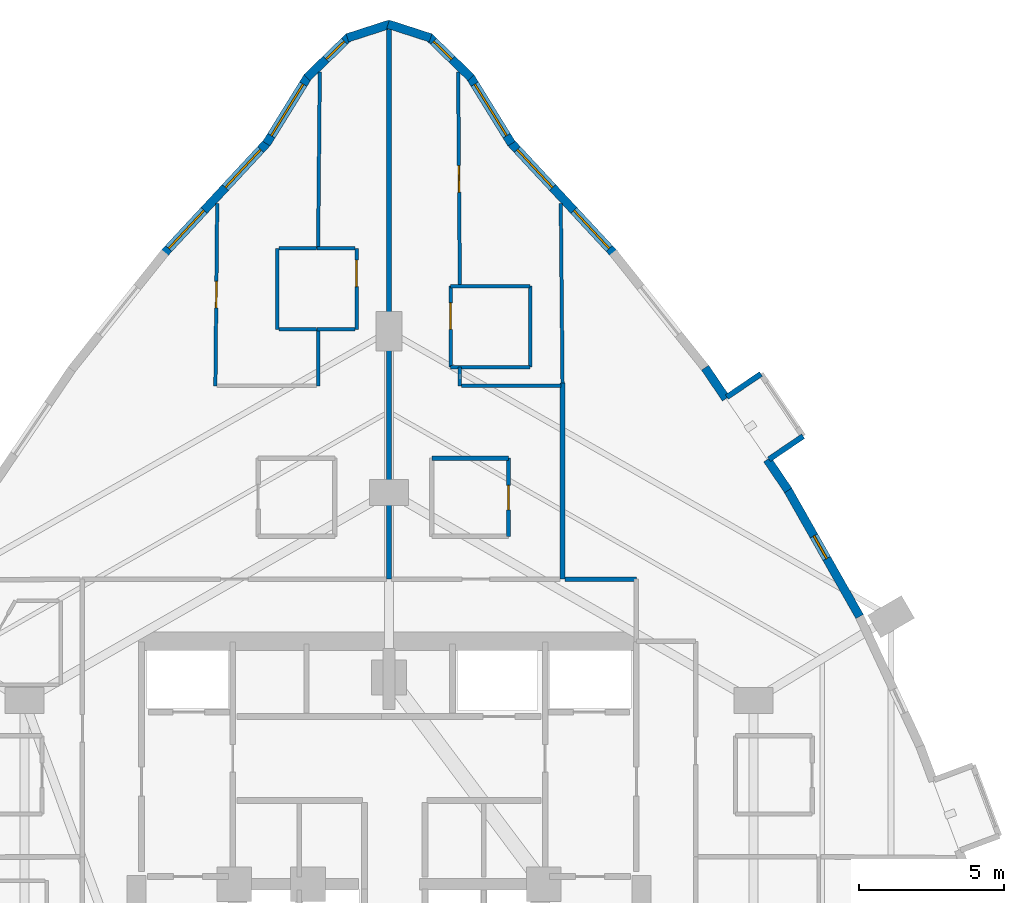
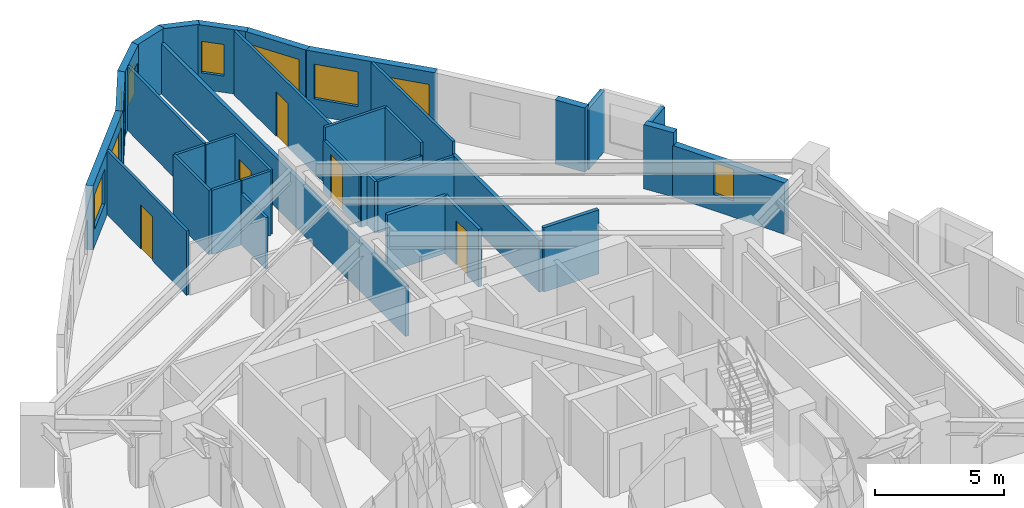
# One storey, part 11 of 13: 35 walls, 9 windows, 5 doors, 14 openings.
"""IFC4 building model written with IfcOpenShell, lengths in metres."""

from ifc_helpers import new_model, si_unit, direction, frame, frame_2d, origin, place, context, subcontext, project, spatial, rectangle, extrude, material, layer, layer_set, type_object, element, fill, save


model = new_model("IFC4")

# Units and contexts
model_context = context("Model", 3, precision=1e-05, world=origin(), true_north=direction((0.0, 1.0)))
body_context = subcontext(model_context, "Body", "Model", "MODEL_VIEW")
ifc_project = project(units=[si_unit("LENGTHUNIT", "METRE"), si_unit("AREAUNIT", "SQUARE_METRE"), si_unit("VOLUMEUNIT", "CUBIC_METRE"), si_unit("PLANEANGLEUNIT", "RADIAN"), si_unit("MASSUNIT", "GRAM", prefix="KILO")], contexts=[model_context])

# Site, building, storey
site_placement = place(None, origin())
site = spatial("IfcSite", under=ifc_project, at=site_placement, CompositionType="ELEMENT")
building_placement = place(site_placement, origin())
building = spatial("IfcBuilding", under=site, at=building_placement, Name="Miruveldt Soraemaru", CompositionType="ELEMENT")
storey_placement = place(building_placement, frame((0.0, 0.0, 87.0)))
storey = spatial("IfcBuildingStorey", under=building, at=storey_placement, Name="L24", CompositionType="ELEMENT", Elevation=87.0)

# Walls
ifc_material_1 = material(Name="White powder-coated aluminium EN AW-6060 T6", Category="aluminium")
ifc_layer_1 = layer(ifc_material_1, 0.18994140625, Name="White powder-coated aluminium EN AW-6060 T6", Category="aluminium")
ifc_layer_set_1 = layer_set([ifc_layer_1], Name="White powder-coated aluminium EN AW-6060 T6")
wall_type_1 = type_object("IfcWallType", Name="WALL-BAY-ALU190", PredefinedType="SOLIDWALL", material=ifc_layer_set_1)
wall_1_placement = place(storey_placement, frame((57.137939453125, 58.74072265625, 0.0), z_axis=(0.0, 0.0, 1.0), x_axis=(0.82794178844, 0.560814046681, 0.0)))
element("IfcWall", 1, at=wall_1_placement, inside=storey, type_object=wall_type_1, Name="L24 Bay Window Side Cheek 6L", PredefinedType="SOLIDWALL", context=body_context, shape_type="SweptSolid", body=[
    extrude(rectangle(XDim=1.4248046875, YDim=0.18994140625, at=frame_2d((0.71240234375, 0.0))), origin(), (0.0, 0.0, 1.0), 2.89990234375),
])
wall_2_placement = place(storey_placement, frame((56.859619140625, 61.692626953125, 0.0), z_axis=(0.0, 0.0, 1.0), x_axis=(-0.827916124573, -0.56085193293, 0.0)))
element("IfcWall", 2, at=wall_2_placement, inside=storey, type_object=wall_type_1, Name="L24 Bay Window Side Cheek 6R", PredefinedType="SOLIDWALL", context=body_context, shape_type="SweptSolid", body=[
    extrude(rectangle(XDim=1.42529296875, YDim=0.18994140625, at=frame_2d((0.712646484375, 0.0))), origin(), (0.0, 0.0, 1.0), 2.89990234375),
])

# Wall, opening, window
ifc_material_2 = material(Name="Precast concrete C45/55 (45 MPa)", Category="concrete")
ifc_layer_2 = layer(ifc_material_2, 0.300048828125, Name="Precast concrete C45/55 (45 MPa)", Category="concrete")
ifc_layer_set_2 = layer_set([ifc_layer_2], Name="Precast concrete C45/55 (45 MPa)")
wall_type_2 = type_object("IfcWallType", Name="WALL-EXT-PC300", PredefinedType="SOLIDWALL", material=ifc_layer_set_2)
wall_3_placement = place(storey_placement, frame((48.2373046875, 69.650634765625, 0.0), z_axis=(0.0, 0.0, 1.0), x_axis=(-0.526057393032, 0.850449069161, 0.0)))
wall_3 = element("IfcWall", 3, at=wall_3_placement, inside=storey, type_object=wall_type_2, Name="L24 Precast Concrete Facade Wall 1", PredefinedType="SOLIDWALL", context=body_context, shape_type="SweptSolid", body=[
    extrude(rectangle(XDim=2.7431640625, YDim=0.300048828125, at=frame_2d((1.37158203125, 0.0))), origin(), (0.0, 0.0, 1.0), 3.050048828125),
])
opening_1_placement = place(wall_3_placement, frame((0.322021484375, 0.0, 0.800048828125)))
opening_1 = element("IfcOpeningElement", 4, at=opening_1_placement, cuts=wall_3, Name="Opening WN-1", PredefinedType="OPENING", context=body_context, shape_type="SweptSolid", body=[
    extrude(rectangle(XDim=2.10009765625, YDim=1.699951171875, at=frame_2d((1.050048828125, 0.85009765625))), frame((0.0, 0.16015625, 0.0), z_axis=(0.0, -1.0, 0.0), x_axis=(1.0, 0.0, 0.0)), (0.0, 0.0, 1.0), 0.320068359375),
])
ifc_material_3 = material(Name="Triple low-e insulated glazing", Category="glass")
window_type_1 = type_object("IfcWindowType", Name="WIN-PUNCH-2100x1700", PartitioningType="SINGLE_PANEL", PredefinedType="WINDOW", material=ifc_material_3)
window_1_placement = place(opening_1_placement, origin())
window_1 = element("IfcWindow", 5, at=window_1_placement, inside=storey, type_object=window_type_1, Name="L24 Punched Triple-Glazed Window 01.1", OverallHeight=1.699951171875, OverallWidth=2.10009765625, PartitioningType="SINGLE_PANEL", PredefinedType="WINDOW", context=body_context, shape_type="SweptSolid", body=[
    extrude(rectangle(XDim=2.10009765625, YDim=1.699951171875, at=frame_2d((1.050048828125, 0.85009765625))), frame((0.0, 0.030029296875, 0.0), z_axis=(0.0, -1.0, 0.0), x_axis=(1.0, 0.0, 0.0)), (0.0, 0.0, 1.0), 0.06005859375),
])
fill(opening_1, window_1)

wall_4_placement = place(storey_placement, frame((46.837646484375, 71.929443359375, 0.0), z_axis=(0.0, 0.0, 1.0), x_axis=(-0.717792882434, 0.696256689682, 0.0)))
wall_4 = element("IfcWall", 6, at=wall_4_placement, inside=storey, type_object=wall_type_2, Name="L24 Precast Concrete Facade Wall 2", PredefinedType="SOLIDWALL", context=body_context, shape_type="SweptSolid", body=[
    extrude(rectangle(XDim=2.029296875, YDim=0.300048828125, at=frame_2d((1.0146484375, 0.0))), origin(), (0.0, 0.0, 1.0), 3.050048828125),
])
opening_2_placement = place(wall_4_placement, frame((0.9150390625, 0.0, 0.780029296875)))
opening_2 = element("IfcOpeningElement", 7, at=opening_2_placement, cuts=wall_4, Name="Opening WN-7", PredefinedType="OPENING", context=body_context, shape_type="SweptSolid", body=[
    extrude(rectangle(XDim=0.89990234375, YDim=1.5, at=frame_2d((0.449951171875, 0.75))), frame((0.0, 0.16015625, 0.0), z_axis=(0.0, -1.0, 0.0), x_axis=(1.0, 0.0, 0.0)), (0.0, 0.0, 1.0), 0.320068359375),
])
window_type_2 = type_object("IfcWindowType", Name="WIN-PUNCH-900x1500", PartitioningType="SINGLE_PANEL", PredefinedType="WINDOW", material=ifc_material_3)
window_2_placement = place(opening_2_placement, origin())
window_2 = element("IfcWindow", 8, at=window_2_placement, inside=storey, type_object=window_type_2, Name="L24 Punched Triple-Glazed Window 02.1", OverallHeight=1.5, OverallWidth=0.89990234375, PartitioningType="SINGLE_PANEL", PredefinedType="WINDOW", context=body_context, shape_type="SweptSolid", body=[
    extrude(rectangle(XDim=0.89990234375, YDim=1.5, at=frame_2d((0.449951171875, 0.75))), frame((0.0, 0.030029296875, 0.0), z_axis=(0.0, -1.0, 0.0), x_axis=(1.0, 0.0, 0.0)), (0.0, 0.0, 1.0), 0.06005859375),
])
fill(opening_2, window_2)

# Walls
for number, where, z_axis, x_axis, name in (
    (9, (45.439697265625, 73.30712890625, 0.0), (0.0, 0.0, 1.0), (-0.951483908193, 0.307698509015, 0.0), "L24 Precast Concrete Facade Wall 3"),
    (10, (44.033203125, 73.783447265625, 0.0), (0.0, 0.0, 1.0), (-0.951483908193, -0.307698509015, 0.0), "L24 Precast Concrete Facade Wall 4"),
):
    element("IfcWall", number, at=place(storey_placement, frame(where, z_axis=z_axis, x_axis=x_axis)), inside=storey, type_object=wall_type_2, Name=name, PredefinedType="SOLIDWALL", context=body_context, shape_type="SweptSolid", body=[
        extrude(rectangle(XDim=1.548095703125, YDim=0.300048828125, at=frame_2d((0.77392578125, 0.0))), origin(), (0.0, 0.0, 1.0), 3.050048828125),
    ])

# Wall, opening, window
wall_5_placement = place(storey_placement, frame((42.618896484375, 73.34228515625, 0.0), z_axis=(0.0, 0.0, 1.0), x_axis=(-0.717792882434, -0.696256689682, 0.0)))
wall_5 = element("IfcWall", 11, at=wall_5_placement, inside=storey, type_object=wall_type_2, Name="L24 Precast Concrete Facade Wall 5", PredefinedType="SOLIDWALL", context=body_context, shape_type="SweptSolid", body=[
    extrude(rectangle(XDim=2.029296875, YDim=0.300048828125, at=frame_2d((1.0146484375, 0.0))), origin(), (0.0, 0.0, 1.0), 3.050048828125),
])
opening_3_placement = place(wall_5_placement, frame((0.212890625, 0.0, 0.780029296875)))
opening_3 = element("IfcOpeningElement", 12, at=opening_3_placement, cuts=wall_5, Name="Opening WN-7", PredefinedType="OPENING", context=body_context, shape_type="SweptSolid", body=[
    extrude(rectangle(XDim=0.89990234375, YDim=1.5, at=frame_2d((0.449951171875, 0.75))), frame((0.0, 0.16015625, 0.0), z_axis=(0.0, -1.0, 0.0), x_axis=(1.0, 0.0, 0.0)), (0.0, 0.0, 1.0), 0.320068359375),
])
window_3_placement = place(opening_3_placement, origin())
window_3 = element("IfcWindow", 13, at=window_3_placement, inside=storey, type_object=window_type_2, Name="L24 Punched Triple-Glazed Window 05.1", OverallHeight=1.5, OverallWidth=0.89990234375, PartitioningType="SINGLE_PANEL", PredefinedType="WINDOW", context=body_context, shape_type="SweptSolid", body=[
    extrude(rectangle(XDim=0.89990234375, YDim=1.5, at=frame_2d((0.449951171875, 0.75))), frame((0.0, 0.030029296875, 0.0), z_axis=(0.0, -1.0, 0.0), x_axis=(1.0, 0.0, 0.0)), (0.0, 0.0, 1.0), 0.06005859375),
])
fill(opening_3, window_3)

wall_6_placement = place(storey_placement, frame((41.205810546875, 71.983642578125, 0.0), z_axis=(0.0, 0.0, 1.0), x_axis=(-0.526057393032, -0.850449069161, 0.0)))
wall_6 = element("IfcWall", 14, at=wall_6_placement, inside=storey, type_object=wall_type_2, Name="L24 Precast Concrete Facade Wall 6", PredefinedType="SOLIDWALL", context=body_context, shape_type="SweptSolid", body=[
    extrude(rectangle(XDim=2.7431640625, YDim=0.300048828125, at=frame_2d((1.37158203125, 0.0))), origin(), (0.0, 0.0, 1.0), 3.050048828125),
])
opening_4_placement = place(wall_6_placement, frame((0.322021484375, 0.0, 0.800048828125)))
opening_4 = element("IfcOpeningElement", 15, at=opening_4_placement, cuts=wall_6, Name="Opening WN-1", PredefinedType="OPENING", context=body_context, shape_type="SweptSolid", body=[
    extrude(rectangle(XDim=2.10009765625, YDim=1.699951171875, at=frame_2d((1.050048828125, 0.85009765625))), frame((0.0, 0.16015625, 0.0), z_axis=(0.0, -1.0, 0.0), x_axis=(1.0, 0.0, 0.0)), (0.0, 0.0, 1.0), 0.320068359375),
])
window_4_placement = place(opening_4_placement, origin())
window_4 = element("IfcWindow", 16, at=window_4_placement, inside=storey, type_object=window_type_1, Name="L24 Punched Triple-Glazed Window 06.1", OverallHeight=1.699951171875, OverallWidth=2.10009765625, PartitioningType="SINGLE_PANEL", PredefinedType="WINDOW", context=body_context, shape_type="SweptSolid", body=[
    extrude(rectangle(XDim=2.10009765625, YDim=1.699951171875, at=frame_2d((1.050048828125, 0.85009765625))), frame((0.0, 0.030029296875, 0.0), z_axis=(0.0, -1.0, 0.0), x_axis=(1.0, 0.0, 0.0)), (0.0, 0.0, 1.0), 0.06005859375),
])
fill(opening_4, window_4)

# Wall, openings, windows
wall_7_placement = place(storey_placement, frame((39.8046875, 69.7060546875, 0.0), z_axis=(0.0, 0.0, 1.0), x_axis=(-0.680847026774, -0.732425645464, 0.0)))
wall_7 = element("IfcWall", 17, at=wall_7_placement, inside=storey, type_object=wall_type_2, Name="L24 Precast Concrete Facade Wall 7", PredefinedType="SOLIDWALL", context=body_context, shape_type="SweptSolid", body=[
    extrude(rectangle(XDim=5.27294921875, YDim=0.300048828125, at=frame_2d((2.636474609375, 0.0))), origin(), (0.0, 0.0, 1.0), 3.050048828125),
])
opening_5_placement = place(wall_7_placement, frame((0.34912109375, 0.0, 0.800048828125)))
opening_5 = element("IfcOpeningElement", 18, at=opening_5_placement, cuts=wall_7, Name="Opening WN-2", PredefinedType="OPENING", context=body_context, shape_type="SweptSolid", body=[
    extrude(rectangle(XDim=1.800048828125, YDim=1.64990234375, at=frame_2d((0.89990234375, 0.824951171875))), frame((0.0, 0.16015625, 0.0), z_axis=(0.0, -1.0, 0.0), x_axis=(1.0, 0.0, 0.0)), (0.0, 0.0, 1.0), 0.320068359375),
])
opening_6_placement = place(wall_7_placement, frame((3.22509765625, 0.0, 0.800048828125)))
opening_6 = element("IfcOpeningElement", 19, at=opening_6_placement, cuts=wall_7, Name="Opening WN-2", PredefinedType="OPENING", context=body_context, shape_type="SweptSolid", body=[
    extrude(rectangle(XDim=1.800048828125, YDim=1.64990234375, at=frame_2d((0.89990234375, 0.824951171875))), frame((0.0, 0.16015625, 0.0), z_axis=(0.0, -1.0, 0.0), x_axis=(1.0, 0.0, 0.0)), (0.0, 0.0, 1.0), 0.320068359375),
])
window_type_3 = type_object("IfcWindowType", Name="WIN-PUNCH-1800x1650", PartitioningType="SINGLE_PANEL", PredefinedType="WINDOW", material=ifc_material_3)
window_5_placement = place(opening_5_placement, origin())
window_5 = element("IfcWindow", 20, at=window_5_placement, inside=storey, type_object=window_type_3, Name="L24 Punched Triple-Glazed Window 07.1", OverallHeight=1.64990234375, OverallWidth=1.800048828125, PartitioningType="SINGLE_PANEL", PredefinedType="WINDOW", context=body_context, shape_type="SweptSolid", body=[
    extrude(rectangle(XDim=1.800048828125, YDim=1.64990234375, at=frame_2d((0.89990234375, 0.824951171875))), frame((0.0, 0.030029296875, 0.0), z_axis=(0.0, -1.0, 0.0), x_axis=(1.0, 0.0, 0.0)), (0.0, 0.0, 1.0), 0.06005859375),
])
fill(opening_5, window_5)
window_6_placement = place(opening_6_placement, origin())
window_6 = element("IfcWindow", 21, at=window_6_placement, inside=storey, type_object=window_type_3, Name="L24 Punched Triple-Glazed Window 07.2", OverallHeight=1.64990234375, OverallWidth=1.800048828125, PartitioningType="SINGLE_PANEL", PredefinedType="WINDOW", context=body_context, shape_type="SweptSolid", body=[
    extrude(rectangle(XDim=1.800048828125, YDim=1.64990234375, at=frame_2d((0.89990234375, 0.824951171875))), frame((0.0, 0.030029296875, 0.0), z_axis=(0.0, -1.0, 0.0), x_axis=(1.0, 0.0, 0.0)), (0.0, 0.0, 1.0), 0.06005859375),
])
fill(opening_6, window_6)

# Wall, opening, window
wall_8_placement = place(storey_placement, frame((60.26953125, 53.30517578125, 0.0), z_axis=(0.0, 0.0, 1.0), x_axis=(-0.493390535176, 0.869807898216, 0.0)))
wall_8 = element("IfcWall", 22, at=wall_8_placement, inside=storey, type_object=wall_type_2, Name="L24 Precast Concrete Facade Wall 39", PredefinedType="SOLIDWALL", context=body_context, shape_type="SweptSolid", body=[
    extrude(rectangle(XDim=5.084228515625, YDim=0.300048828125, at=frame_2d((2.5419921875, 0.0))), origin(), (0.0, 0.0, 1.0), 2.43798828125),
])
opening_7_placement = place(wall_8_placement, frame((2.306884765625, 0.0, 0.778076171875)))
opening_7 = element("IfcOpeningElement", 23, at=opening_7_placement, cuts=wall_8, Name="Opening WN-7", PredefinedType="OPENING", context=body_context, shape_type="SweptSolid", body=[
    extrude(rectangle(XDim=0.89990234375, YDim=1.5, at=frame_2d((0.449951171875, 0.75))), frame((0.0, 0.16015625, 0.0), z_axis=(0.0, -1.0, 0.0), x_axis=(1.0, 0.0, 0.0)), (0.0, 0.0, 1.0), 0.320068359375),
])
window_7_placement = place(opening_7_placement, origin())
window_7 = element("IfcWindow", 24, at=window_7_placement, inside=storey, type_object=window_type_2, Name="L24 Punched Triple-Glazed Window 39.1", OverallHeight=1.5, OverallWidth=0.89990234375, PartitioningType="SINGLE_PANEL", PredefinedType="WINDOW", context=body_context, shape_type="SweptSolid", body=[
    extrude(rectangle(XDim=0.89990234375, YDim=1.5, at=frame_2d((0.449951171875, 0.75))), frame((0.0, 0.030029296875, 0.0), z_axis=(0.0, -1.0, 0.0), x_axis=(1.0, 0.0, 0.0)), (0.0, 0.0, 1.0), 0.06005859375),
])
fill(opening_7, window_7)

# Walls
wall_9_placement = place(storey_placement, frame((57.798095703125, 57.668212890625, 0.0), z_axis=(0.0, 0.0, 1.0), x_axis=(-0.560852336158, 0.827915851416, 0.0)))
element("IfcWall", 25, at=wall_9_placement, inside=storey, type_object=wall_type_2, Name="L24 Precast Pier Wall 40A", PredefinedType="SOLIDWALL", context=body_context, shape_type="SweptSolid", body=[
    extrude(rectangle(XDim=1.2880859375, YDim=0.300048828125, at=frame_2d((0.64404296875, 0.0))), origin(), (0.0, 0.0, 1.0), 3.050048828125),
])
wall_10_placement = place(storey_placement, frame((55.65087890625, 60.837890625, 0.0), z_axis=(0.0, 0.0, 1.0), x_axis=(-0.560722395455, 0.828003861848, 0.0)))
element("IfcWall", 26, at=wall_10_placement, inside=storey, type_object=wall_type_2, Name="L24 Precast Pier Wall 40B", PredefinedType="SOLIDWALL", context=body_context, shape_type="SweptSolid", body=[
    extrude(rectangle(XDim=1.287841796875, YDim=0.300048828125, at=frame_2d((0.64404296875, 0.0))), origin(), (0.0, 0.0, 1.0), 3.050048828125),
])

# Wall, openings, windows
wall_11_placement = place(storey_placement, frame((51.785400390625, 65.843994140625, 0.0), z_axis=(0.0, 0.0, 1.0), x_axis=(-0.680847026774, 0.732425645464, 0.0)))
wall_11 = element("IfcWall", 27, at=wall_11_placement, inside=storey, type_object=wall_type_2, Name="L24 Precast Concrete Facade Wall 42", PredefinedType="SOLIDWALL", context=body_context, shape_type="SweptSolid", body=[
    extrude(rectangle(XDim=5.27294921875, YDim=0.300048828125, at=frame_2d((2.636474609375, 0.0))), origin(), (0.0, 0.0, 1.0), 3.050048828125),
])
opening_8_placement = place(wall_11_placement, frame((0.248046875, 0.0, 0.800048828125)))
opening_8 = element("IfcOpeningElement", 28, at=opening_8_placement, cuts=wall_11, Name="Opening WN-2", PredefinedType="OPENING", context=body_context, shape_type="SweptSolid", body=[
    extrude(rectangle(XDim=1.800048828125, YDim=1.64990234375, at=frame_2d((0.89990234375, 0.824951171875))), frame((0.0, 0.16015625, 0.0), z_axis=(0.0, -1.0, 0.0), x_axis=(1.0, 0.0, 0.0)), (0.0, 0.0, 1.0), 0.320068359375),
])
opening_9_placement = place(wall_11_placement, frame((3.1240234375, 0.0, 0.800048828125)))
opening_9 = element("IfcOpeningElement", 29, at=opening_9_placement, cuts=wall_11, Name="Opening WN-2", PredefinedType="OPENING", context=body_context, shape_type="SweptSolid", body=[
    extrude(rectangle(XDim=1.800048828125, YDim=1.64990234375, at=frame_2d((0.89990234375, 0.824951171875))), frame((0.0, 0.16015625, 0.0), z_axis=(0.0, -1.0, 0.0), x_axis=(1.0, 0.0, 0.0)), (0.0, 0.0, 1.0), 0.320068359375),
])
window_8_placement = place(opening_8_placement, origin())
window_8 = element("IfcWindow", 30, at=window_8_placement, inside=storey, type_object=window_type_3, Name="L24 Punched Triple-Glazed Window 42.1", OverallHeight=1.64990234375, OverallWidth=1.800048828125, PartitioningType="SINGLE_PANEL", PredefinedType="WINDOW", context=body_context, shape_type="SweptSolid", body=[
    extrude(rectangle(XDim=1.800048828125, YDim=1.64990234375, at=frame_2d((0.89990234375, 0.824951171875))), frame((0.0, 0.030029296875, 0.0), z_axis=(0.0, -1.0, 0.0), x_axis=(1.0, 0.0, 0.0)), (0.0, 0.0, 1.0), 0.06005859375),
])
fill(opening_8, window_8)
window_9_placement = place(opening_9_placement, origin())
window_9 = element("IfcWindow", 31, at=window_9_placement, inside=storey, type_object=window_type_3, Name="L24 Punched Triple-Glazed Window 42.2", OverallHeight=1.64990234375, OverallWidth=1.800048828125, PartitioningType="SINGLE_PANEL", PredefinedType="WINDOW", context=body_context, shape_type="SweptSolid", body=[
    extrude(rectangle(XDim=1.800048828125, YDim=1.64990234375, at=frame_2d((0.89990234375, 0.824951171875))), frame((0.0, 0.030029296875, 0.0), z_axis=(0.0, -1.0, 0.0), x_axis=(1.0, 0.0, 0.0)), (0.0, 0.0, 1.0), 0.06005859375),
])
fill(opening_9, window_9)

# Wall, opening, door
ifc_material_4 = material(Name="Gypsum plasterboard lining", Category="gypsum")
ifc_layer_3 = layer(ifc_material_4, 0.1201171875, Name="Gypsum plasterboard lining", Category="gypsum")
ifc_layer_set_3 = layer_set([ifc_layer_3], Name="Gypsum plasterboard lining")
wall_type_3 = type_object("IfcWallType", Name="WALL-INT-P120", PredefinedType="PARTITIONING", material=ifc_layer_set_3)
wall_12_placement = place(storey_placement, frame((46.449951171875, 64.72998046875, 0.0), z_axis=(0.0, 0.0, 1.0), x_axis=(-0.007947511419, 0.999968418032, 0.0)))
wall_12 = element("IfcWall", 32, at=wall_12_placement, inside=storey, type_object=wall_type_3, Name="L24 Partition Wall 37", PredefinedType="PARTITIONING", context=body_context, shape_type="SweptSolid", body=[
    extrude(rectangle(XDim=7.4033203125, YDim=0.1201171875, at=frame_2d((3.70166015625, 0.0))), origin(), (0.0, 0.0, 1.0), 3.050048828125),
])
opening_10_placement = place(wall_12_placement, frame((3.241943359375, 0.0, 0.0)))
opening_10 = element("IfcOpeningElement", 33, at=opening_10_placement, cuts=wall_12, Name="Opening D3A", PredefinedType="OPENING", context=body_context, shape_type="SweptSolid", body=[
    extrude(rectangle(XDim=0.919921875, YDim=2.10009765625, at=frame_2d((0.4599609375, 1.050048828125))), frame((0.0, 0.070068359375, 0.0), z_axis=(0.0, -1.0, 0.0), x_axis=(1.0, 0.0, 0.0)), (0.0, 0.0, 1.0), 0.14013671875),
])
ifc_material_5 = material(Name="Anodised aluminium EN AW-6063 T6", Category="aluminium")
door_type_1 = type_object("IfcDoorType", Name="DOOR-INT-920", OperationType="NOTDEFINED", PredefinedType="DOOR", material=ifc_material_5)
door_1_placement = place(opening_10_placement, origin())
door_1 = element("IfcDoor", 34, at=door_1_placement, inside=storey, type_object=door_type_1, Name="L24 Unit 2403 BD1 Door", OperationType="SINGLE_SWING_LEFT", OverallHeight=2.10009765625, OverallWidth=0.919921875, PredefinedType="DOOR", context=body_context, shape_type="SweptSolid", body=[
    extrude(rectangle(XDim=0.919921875, YDim=2.10009765625, at=frame_2d((0.4599609375, 1.050048828125))), frame((0.0, 0.02490234375, 0.0), z_axis=(0.0, -1.0, 0.0), x_axis=(1.0, 0.0, 0.0)), (0.0, 0.0, 1.0), 0.050048828125),
])
fill(opening_10, door_1)

wall_13_placement = place(storey_placement, frame((38.0, 61.281005859375, 0.0), z_axis=(0.0, 0.0, 1.0), x_axis=(0.009830007269, 0.999951684311, 0.0)))
wall_13 = element("IfcWall", 35, at=wall_13_placement, inside=storey, type_object=wall_type_3, Name="L24 Partition Wall 24", PredefinedType="PARTITIONING", context=body_context, shape_type="SweptSolid", body=[
    extrude(rectangle(XDim=6.308349609375, YDim=0.1201171875, at=frame_2d((3.154296875, 0.0))), origin(), (0.0, 0.0, 1.0), 3.050048828125),
])
opening_11_placement = place(wall_13_placement, frame((2.694091796875, 0.0, 0.0)))
opening_11 = element("IfcOpeningElement", 36, at=opening_11_placement, cuts=wall_13, Name="Opening D3A", PredefinedType="OPENING", context=body_context, shape_type="SweptSolid", body=[
    extrude(rectangle(XDim=0.919921875, YDim=2.10009765625, at=frame_2d((0.4599609375, 1.050048828125))), frame((0.0, 0.070068359375, 0.0), z_axis=(0.0, -1.0, 0.0), x_axis=(1.0, 0.0, 0.0)), (0.0, 0.0, 1.0), 0.14013671875),
])
door_2_placement = place(opening_11_placement, origin())
door_2 = element("IfcDoor", 37, at=door_2_placement, inside=storey, type_object=door_type_1, Name="L24 Unit 2402 BD1 Door", OperationType="SINGLE_SWING_LEFT", OverallHeight=2.10009765625, OverallWidth=0.919921875, PredefinedType="DOOR", context=body_context, shape_type="SweptSolid", body=[
    extrude(rectangle(XDim=0.919921875, YDim=2.10009765625, at=frame_2d((0.4599609375, 1.050048828125))), frame((0.0, 0.02490234375, 0.0), z_axis=(0.0, -1.0, 0.0), x_axis=(1.0, 0.0, 0.0)), (0.0, 0.0, 1.0), 0.050048828125),
])
fill(opening_11, door_2)

wall_14_placement = place(storey_placement, frame((42.8798828125, 63.22998046875, 0.0), z_axis=(0.0, 0.0, 1.0), x_axis=(0.0, 1.0, 0.0)))
wall_14 = element("IfcWall", 38, at=wall_14_placement, inside=storey, type_object=wall_type_3, Name="L24 Partition Wall 18", PredefinedType="PARTITIONING", context=body_context, shape_type="SweptSolid", body=[
    extrude(rectangle(XDim=2.800048828125, YDim=0.1201171875, at=frame_2d((1.39990234375, 0.0))), origin(), (0.0, 0.0, 1.0), 3.050048828125),
])
opening_12_placement = place(wall_14_placement, frame((1.47998046875, 0.0, 0.0)))
opening_12 = element("IfcOpeningElement", 39, at=opening_12_placement, cuts=wall_14, Name="Opening D3A", PredefinedType="OPENING", context=body_context, shape_type="SweptSolid", body=[
    extrude(rectangle(XDim=0.919921875, YDim=2.10009765625, at=frame_2d((0.4599609375, 1.050048828125))), frame((0.0, 0.070068359375, 0.0), z_axis=(0.0, -1.0, 0.0), x_axis=(1.0, 0.0, 0.0)), (0.0, 0.0, 1.0), 0.14013671875),
])
door_3_placement = place(opening_12_placement, origin())
door_3 = element("IfcDoor", 40, at=door_3_placement, inside=storey, type_object=door_type_1, Name="L24 Unit 2402 KIT Door", OperationType="SINGLE_SWING_RIGHT", OverallHeight=2.10009765625, OverallWidth=0.919921875, PredefinedType="DOOR", context=body_context, shape_type="SweptSolid", body=[
    extrude(rectangle(XDim=0.919921875, YDim=2.10009765625, at=frame_2d((0.4599609375, 1.050048828125))), frame((0.0, 0.02490234375, 0.0), z_axis=(0.0, -1.0, 0.0), x_axis=(1.0, 0.0, 0.0)), (0.0, 0.0, 1.0), 0.050048828125),
])
fill(opening_12, door_3)

wall_15_placement = place(storey_placement, frame((46.1298828125, 64.72998046875, 0.0), z_axis=(0.0, 0.0, 1.0), x_axis=(0.0, -1.0, 0.0)))
wall_15 = element("IfcWall", 41, at=wall_15_placement, inside=storey, type_object=wall_type_3, Name="L24 Partition Wall 34", PredefinedType="PARTITIONING", context=body_context, shape_type="SweptSolid", body=[
    extrude(rectangle(XDim=2.800048828125, YDim=0.1201171875, at=frame_2d((1.39990234375, 0.0))), origin(), (0.0, 0.0, 1.0), 2.43798828125),
])
opening_13_placement = place(wall_15_placement, frame((0.580078125, 0.0, 0.0)))
opening_13 = element("IfcOpeningElement", 42, at=opening_13_placement, cuts=wall_15, Name="Opening D3A", PredefinedType="OPENING", context=body_context, shape_type="SweptSolid", body=[
    extrude(rectangle(XDim=0.919921875, YDim=2.10009765625, at=frame_2d((0.4599609375, 1.050048828125))), frame((0.0, 0.070068359375, 0.0), z_axis=(0.0, -1.0, 0.0), x_axis=(1.0, 0.0, 0.0)), (0.0, 0.0, 1.0), 0.14013671875),
])
door_4_placement = place(opening_13_placement, origin())
door_4 = element("IfcDoor", 43, at=door_4_placement, inside=storey, type_object=door_type_1, Name="L24 Unit 2403 KIT Door", OperationType="SINGLE_SWING_RIGHT", OverallHeight=2.10009765625, OverallWidth=0.919921875, PredefinedType="DOOR", context=body_context, shape_type="SweptSolid", body=[
    extrude(rectangle(XDim=0.919921875, YDim=2.10009765625, at=frame_2d((0.4599609375, 1.050048828125))), frame((0.0, 0.02490234375, 0.0), z_axis=(0.0, -1.0, 0.0), x_axis=(1.0, 0.0, 0.0)), (0.0, 0.0, 1.0), 0.050048828125),
])
fill(opening_13, door_4)

# Walls
wall_16_placement = place(storey_placement, frame((49.93798828125, 67.589111328125, 0.0), z_axis=(0.0, 0.0, 1.0), x_axis=(0.009815381719, -0.999951827981, 0.0)))
element("IfcWall", 44, at=wall_16_placement, inside=storey, type_object=wall_type_3, Name="L24 Partition Wall 95", PredefinedType="PARTITIONING", context=body_context, shape_type="SweptSolid", body=[
    extrude(rectangle(XDim=6.21826171875, YDim=0.1201171875, at=frame_2d((3.109130859375, 0.0))), origin(), (0.0, 0.0, 1.0), 3.050048828125),
])
wall_17_placement = place(storey_placement, frame((41.60888671875, 72.133056640625, 0.0), z_axis=(0.0, 0.0, 1.0), x_axis=(-0.009640323265, -0.999953531004, 0.0)))
element("IfcWall", 45, at=wall_17_placement, inside=storey, type_object=wall_type_3, Name="L24 Partition Wall 21", PredefinedType="PARTITIONING", context=body_context, shape_type="SweptSolid", body=[
    extrude(rectangle(XDim=6.103271484375, YDim=0.1201171875, at=frame_2d((3.0517578125, 0.0))), origin(), (0.0, 0.0, 1.0), 3.050048828125),
])
wall_18_placement = place(storey_placement, frame((49.93994140625, 61.281005859375, 0.0), z_axis=(0.0, 0.0, 1.0), x_axis=(-1.0, 0.0, 0.0)))
element("IfcWall", 46, at=wall_18_placement, inside=storey, type_object=wall_type_3, Name="L24 Partition Wall 35", PredefinedType="PARTITIONING", context=body_context, shape_type="SweptSolid", body=[
    extrude(rectangle(XDim=3.429931640625, YDim=0.1201171875, at=frame_2d((1.71484375, 0.0))), origin(), (0.0, 0.0, 1.0), 2.43798828125),
])
for number, where, z_axis, x_axis, name in (
    (47, (40.1298828125, 66.030029296875, 0.0), (0.0, 0.0, 1.0), (0.0, -1.0, 0.0), "L24 Partition Wall 28"),
    (48, (48.8798828125, 61.929931640625, 0.0), (0.0, 0.0, 1.0), (0.0, 1.0, 0.0), "L24 Partition Wall 39"),
):
    element("IfcWall", number, at=place(storey_placement, frame(where, z_axis=z_axis, x_axis=x_axis)), inside=storey, type_object=wall_type_3, Name=name, PredefinedType="PARTITIONING", context=body_context, shape_type="SweptSolid", body=[
        extrude(rectangle(XDim=2.800048828125, YDim=0.1201171875, at=frame_2d((1.39990234375, 0.0))), origin(), (0.0, 0.0, 1.0), 3.050048828125),
    ])
wall_19_placement = place(storey_placement, frame((48.8798828125, 64.72998046875, 0.0), z_axis=(0.0, 0.0, 1.0), x_axis=(-1.0, 0.0, 0.0)))
element("IfcWall", 49, at=wall_19_placement, inside=storey, type_object=wall_type_3, Name="L24 Partition Wall 93", PredefinedType="PARTITIONING", context=body_context, shape_type="SweptSolid", body=[
    extrude(rectangle(XDim=2.75, YDim=0.1201171875, at=frame_2d((1.375, 0.0))), origin(), (0.0, 0.0, 1.0), 3.050048828125),
])
wall_20_placement = place(storey_placement, frame((46.1298828125, 61.929931640625, 0.0), z_axis=(0.0, 0.0, 1.0), x_axis=(1.0, 0.0, 0.0)))
element("IfcWall", 50, at=wall_20_placement, inside=storey, type_object=wall_type_3, Name="L24 Partition Wall 94", PredefinedType="PARTITIONING", context=body_context, shape_type="SweptSolid", body=[
    extrude(rectangle(XDim=2.75, YDim=0.1201171875, at=frame_2d((1.375, 0.0))), origin(), (0.0, 0.0, 1.0), 2.43798828125),
])
wall_21_placement = place(storey_placement, frame((41.550048828125, 63.22998046875, 0.0), z_axis=(0.0, 0.0, 1.0), x_axis=(0.0, -1.0, 0.0)))
element("IfcWall", 51, at=wall_21_placement, inside=storey, type_object=wall_type_3, Name="L24 Partition Wall 22", PredefinedType="PARTITIONING", context=body_context, shape_type="SweptSolid", body=[
    extrude(rectangle(XDim=1.948974609375, YDim=0.1201171875, at=frame_2d((0.974609375, 0.0))), origin(), (0.0, 0.0, 1.0), 2.43798828125),
])
for number, where, z_axis, x_axis, name in (
    (52, (41.489990234375, 66.030029296875, 0.0), (0.0, 0.0, 1.0), (-1.0, 0.0, 0.0), "L24 Partition Wall 27"),
    (53, (40.18994140625, 63.22998046875, 0.0), (0.0, 0.0, 1.0), (1.0, 0.0, 0.0), "L24 Partition Wall 29"),
    (54, (42.820068359375, 66.030029296875, 0.0), (0.0, 0.0, 1.0), (-1.0, 0.0, 0.0), "L24 Partition Wall 19"),
    (55, (41.52001953125, 63.22998046875, 0.0), (0.0, 0.0, 1.0), (1.0, 0.0, 0.0), "L24 Partition Wall 20"),
):
    element("IfcWall", number, at=place(storey_placement, frame(where, z_axis=z_axis, x_axis=x_axis)), inside=storey, type_object=wall_type_3, Name=name, PredefinedType="PARTITIONING", context=body_context, shape_type="SweptSolid", body=[
        extrude(rectangle(XDim=1.300048828125, YDim=0.1201171875, at=frame_2d((0.64990234375, 0.0))), origin(), (0.0, 0.0, 1.0), 3.050048828125),
    ])
wall_22_placement = place(storey_placement, frame((46.449951171875, 61.281005859375, 0.0), z_axis=(0.0, 0.0, 1.0), x_axis=(0.0, 1.0, 0.0)))
element("IfcWall", 56, at=wall_22_placement, inside=storey, type_object=wall_type_3, Name="L24 Partition Wall 36", PredefinedType="PARTITIONING", context=body_context, shape_type="SweptSolid", body=[
    extrude(rectangle(XDim=0.64892578125, YDim=0.1201171875, at=frame_2d((0.324462890625, 0.0))), origin(), (0.0, 0.0, 1.0), 2.43798828125),
])

# Wall, opening, door
ifc_layer_4 = layer(ifc_material_4, 0.14990234375, Name="Gypsum plasterboard lining", Category="gypsum")
ifc_layer_set_4 = layer_set([ifc_layer_4], Name="Gypsum plasterboard lining")
wall_type_4 = type_object("IfcWallType", Name="WALL-INT-PLUMB", PredefinedType="PLUMBINGWALL", material=ifc_layer_set_4)
wall_23_placement = place(storey_placement, frame((48.1298828125, 56.080078125, 0.0), z_axis=(0.0, 0.0, 1.0), x_axis=(0.0, 1.0, 0.0)))
wall_23 = element("IfcWall", 57, at=wall_23_placement, inside=storey, type_object=wall_type_4, Name="L24 Partition Wall 30", PredefinedType="PLUMBINGWALL", context=body_context, shape_type="SweptSolid", body=[
    extrude(rectangle(XDim=2.699951171875, YDim=0.14990234375, at=frame_2d((1.35009765625, 0.0))), origin(), (0.0, 0.0, 1.0), 2.738037109375),
])
opening_14_placement = place(wall_23_placement, frame((0.909912109375, 0.0, 0.0)))
opening_14 = element("IfcOpeningElement", 58, at=opening_14_placement, cuts=wall_23, Name="Opening FD3", PredefinedType="OPENING", context=body_context, shape_type="SweptSolid", body=[
    extrude(rectangle(XDim=0.85009765625, YDim=2.10009765625, at=frame_2d((0.425048828125, 1.050048828125))), frame((0.0, 0.0849609375, 0.0), z_axis=(0.0, -1.0, 0.0), x_axis=(1.0, 0.0, 0.0)), (0.0, 0.0, 1.0), 0.169921875),
])
door_type_2 = type_object("IfcDoorType", Name="DOOR-FD3-850", OperationType="NOTDEFINED", PredefinedType="DOOR", material=ifc_material_5)
door_5_placement = place(opening_14_placement, origin())
door_5 = element("IfcDoor", 59, at=door_5_placement, inside=storey, type_object=door_type_2, Name="L24 Unit 2403 BTH Door", OperationType="SINGLE_SWING_LEFT", OverallHeight=2.10009765625, OverallWidth=0.85009765625, PredefinedType="DOOR", context=body_context, shape_type="SweptSolid", body=[
    extrude(rectangle(XDim=0.85009765625, YDim=2.10009765625, at=frame_2d((0.425048828125, 1.050048828125))), frame((0.0, 0.02490234375, 0.0), z_axis=(0.0, -1.0, 0.0), x_axis=(1.0, 0.0, 0.0)), (0.0, 0.0, 1.0), 0.050048828125),
])
fill(opening_14, door_5)

# Walls
wall_24_placement = place(storey_placement, frame((48.1298828125, 58.780029296875, 0.0), z_axis=(0.0, 0.0, 1.0), x_axis=(-1.0, 0.0, 0.0)))
element("IfcWall", 60, at=wall_24_placement, inside=storey, type_object=wall_type_4, Name="L24 Partition Wall 31", PredefinedType="PLUMBINGWALL", context=body_context, shape_type="SweptSolid", body=[
    extrude(rectangle(XDim=2.64990234375, YDim=0.14990234375, at=frame_2d((1.324951171875, 0.0))), origin(), (0.0, 0.0, 1.0), 2.738037109375),
])
ifc_material_6 = material(Name="Concrete C40/50 (40 MPa)", Category="concrete")
ifc_layer_5 = layer(ifc_material_6, 0.159912109375, Name="Concrete C40/50 (40 MPa)", Category="concrete")
ifc_layer_set_5 = layer_set([ifc_layer_5], Name="Concrete C40/50 (40 MPa)")
wall_type_5 = type_object("IfcWallType", Name="WALL-INT-RC160", PredefinedType="SOLIDWALL", material=ifc_layer_set_5)
wall_25_placement = place(storey_placement, frame((44.0, 54.60009765625, 0.0), z_axis=(0.0, 0.0, 1.0), x_axis=(0.0, 1.0, 0.0)))
element("IfcWall", 61, at=wall_25_placement, inside=storey, type_object=wall_type_5, Name="L24 Partition Wall 25", PredefinedType="SOLIDWALL", context=body_context, shape_type="SweptSolid", body=[
    extrude(rectangle(XDim=18.9990234375, YDim=0.159912109375, at=frame_2d((9.49951171875, 0.0))), origin(), (0.0, 0.0, 1.0), 2.387939453125),
])
wall_26_placement = place(storey_placement, frame((50.0, 54.60400390625, 0.0), z_axis=(0.0, 0.0, 1.0), x_axis=(0.0, 1.0, 0.0)))
element("IfcWall", 62, at=wall_26_placement, inside=storey, type_object=wall_type_5, Name="L24 Partition Wall 38", PredefinedType="SOLIDWALL", context=body_context, shape_type="SweptSolid", body=[
    extrude(rectangle(XDim=6.76708984375, YDim=0.159912109375, at=frame_2d((3.383544921875, 0.0))), origin(), (0.0, 0.0, 1.0), 2.43798828125),
])
wall_27_placement = place(storey_placement, frame((52.550048828125, 54.60009765625, 0.0), z_axis=(0.0, 0.0, 1.0), x_axis=(-1.0, 0.0, 0.0)))
element("IfcWall", 63, at=wall_27_placement, inside=storey, type_object=wall_type_5, Name="L24 Partition Wall 9", PredefinedType="SOLIDWALL", context=body_context, shape_type="SweptSolid", body=[
    extrude(rectangle(XDim=2.466064453125, YDim=0.159912109375, at=frame_2d((1.23291015625, 0.0))), origin(), (0.0, 0.0, 1.0), 3.050048828125),
])

save(model, "model.ifc")
